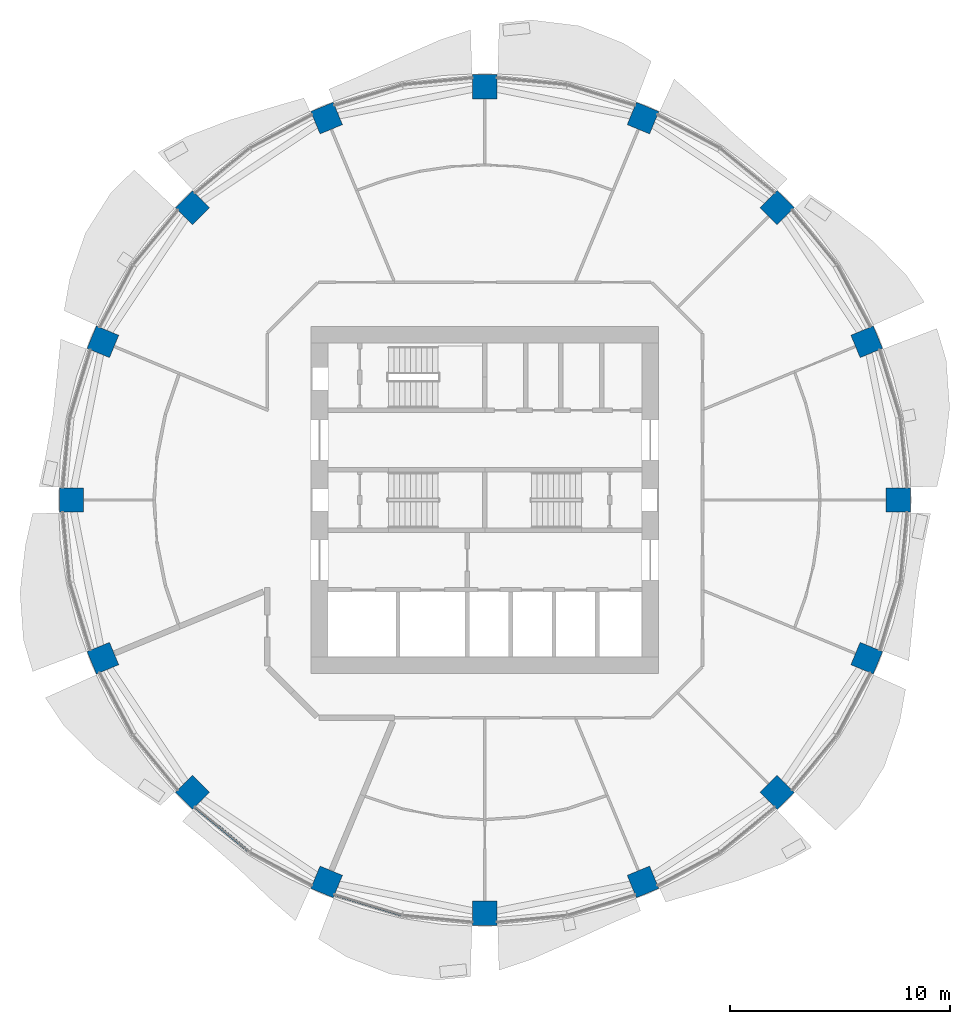
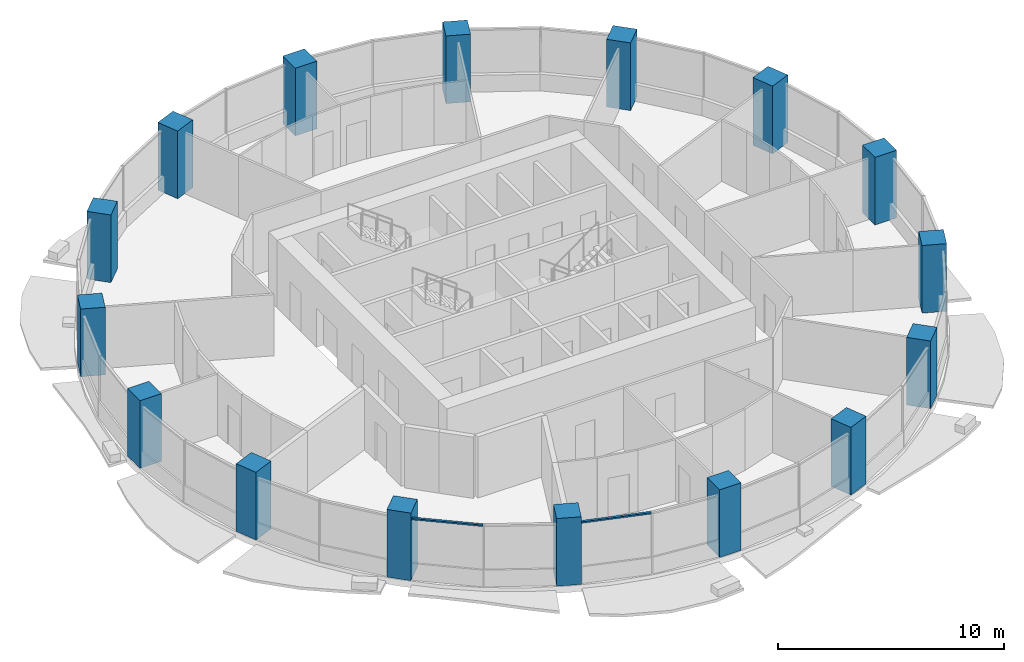
# One storey, part 1 of 14: 16 columns, 2 members, 2 elements without a shape of their own.
"""IFC4 building model written with IfcOpenShell, lengths in metres."""

from ifc_helpers import new_model, si_unit, direction, frame, origin, origin_2d, place, context, subcontext, project, spatial, rectangle, extrude, material, material_profile, profile_set, type_object, element, aggregate, save


model = new_model("IFC4")

# Units and contexts
model_context = context("Model", 3, precision=1e-05, world=origin(), true_north=direction((0.0, 1.0)))
body_context = subcontext(model_context, "Body", "Model", "MODEL_VIEW")
ifc_project = project(units=[si_unit("LENGTHUNIT", "METRE"), si_unit("AREAUNIT", "SQUARE_METRE"), si_unit("VOLUMEUNIT", "CUBIC_METRE"), si_unit("PLANEANGLEUNIT", "RADIAN"), si_unit("MASSUNIT", "GRAM", prefix="KILO")], contexts=[model_context])

# Site, building, storey
site_placement = place(None, origin())
site = spatial("IfcSite", under=ifc_project, at=site_placement, CompositionType="ELEMENT")
building_placement = place(site_placement, origin())
building = spatial("IfcBuilding", under=site, at=building_placement, Name="Polderwave Tower", CompositionType="ELEMENT")
storey_placement = place(building_placement, frame((0.0, 0.0, 91.0)))
storey = spatial("IfcBuildingStorey", under=building, at=storey_placement, Name="L23", CompositionType="ELEMENT", Elevation=91.0)

# Columns
ifc_material_1 = material(Name="Concrete C70/85", Category="concrete")
ifc_material_profile_1 = material_profile(ifc_material_1, rectangle(XDim=1.10009765625, YDim=1.10009765625, at=origin_2d()), Name="RC 1100x1100")
ifc_profile_set_1 = profile_set([ifc_material_profile_1], Name="Concrete C70/85")
column_type = type_object("IfcColumnType", Name="RC COLUMN 1100x1100 C70/85", PredefinedType="COLUMN", material=ifc_profile_set_1)
for number, where, z_axis, x_axis, name in (
    (1, (18.75, 0.0, 0.0), (0.0, 0.0, 1.0), (1.0, 0.0, 0.0), "Ring column 01"),
    (2, (17.32275390625, 7.17529296875, 0.0), (0.0, 0.0, 1.0), (0.923879532511, 0.382683432365, 0.0), "Ring column 02"),
    (3, (13.25830078125, 13.25830078125, 0.0), (0.0, 0.0, 1.0), (0.707106781187, 0.707106781187, 0.0), "Ring column 03"),
    (4, (7.17529296875, 17.32275390625, 0.0), (0.0, 0.0, 1.0), (0.382683432365, 0.923879532511, 0.0), "Ring column 04"),
    (5, (0.0, 18.75, 0.0), (0.0, 0.0, 1.0), (0.0, 1.0, 0.0), "Ring column 05"),
    (6, (-7.17529296875, 17.32275390625, 0.0), (0.0, 0.0, 1.0), (-0.382683432365, 0.923879532511, 0.0), "Ring column 06"),
    (7, (-13.25830078125, 13.25830078125, 0.0), (0.0, 0.0, 1.0), (-0.707106781187, 0.707106781187, 0.0), "Ring column 07"),
    (8, (-17.32275390625, 7.17529296875, 0.0), (0.0, 0.0, 1.0), (-0.923879532511, 0.382683432365, 0.0), "Ring column 08"),
    (9, (-18.75, 0.0, 0.0), (0.0, 0.0, 1.0), (-1.0, 0.0, 0.0), "Ring column 09"),
    (10, (-17.32275390625, -7.17529296875, 0.0), (0.0, 0.0, 1.0), (-0.923879532511, -0.382683432365, 0.0), "Ring column 10"),
    (11, (-13.25830078125, -13.25830078125, 0.0), (0.0, 0.0, 1.0), (-0.707106781187, -0.707106781187, 0.0), "Ring column 11"),
    (12, (-7.17529296875, -17.32275390625, 0.0), (0.0, 0.0, 1.0), (-0.382683432365, -0.923879532511, 0.0), "Ring column 12"),
    (13, (0.0, -18.75, 0.0), (0.0, 0.0, 1.0), (0.0, -1.0, 0.0), "Ring column 13"),
    (14, (7.17529296875, -17.32275390625, 0.0), (0.0, 0.0, 1.0), (0.382683432365, -0.923879532511, 0.0), "Ring column 14"),
    (15, (13.25830078125, -13.25830078125, 0.0), (0.0, 0.0, 1.0), (0.707106781187, -0.707106781187, 0.0), "Ring column 15"),
    (16, (17.32275390625, -7.17529296875, 0.0), (0.0, 0.0, 1.0), (0.923879532511, -0.382683432365, 0.0), "Ring column 16"),
):
    element("IfcColumn", number, at=place(storey_placement, frame(where, z_axis=z_axis, x_axis=x_axis)), inside=storey, type_object=column_type, Name=name, PredefinedType="COLUMN", context=body_context, shape_type="SweptSolid", body=[
        extrude(rectangle(XDim=1.10009765625, YDim=1.10009765625, at=origin_2d()), origin(), (0.0, 0.0, 1.0), 3.64990234375),
    ])

# Curtain wall, member
ifc_material_2 = material(Name="Aluminium 6063-T6 and glass", Category="aluminium")
curtain_wall_type = type_object("IfcCurtainWallType", Name="Growing floor ribbon glazing wall", PredefinedType="NOTDEFINED", material=ifc_material_2)
curtain_wall_1_placement = place(storey_placement, origin())
curtain_wall_1 = element("IfcCurtainWall", 17, at=curtain_wall_1_placement, inside=storey, type_object=curtain_wall_type, Name="CW2 L23 10", PredefinedType="NOTDEFINED")
ifc_material_3 = material(Name="Aluminium 6063-T6", Category="aluminium")
ifc_material_profile_2 = material_profile(ifc_material_3, rectangle(XDim=0.1201171875, YDim=0.080078125, at=origin_2d()), Name="AL 80x120")
ifc_profile_set_2 = profile_set([ifc_material_profile_2], Name="Aluminium 6063-T6")
member_type = type_object("IfcMemberType", Name="Growing floor ribbon glazing transom 80x120", PredefinedType="USERDEFINED", material=ifc_profile_set_2)
member_1_placement = place(storey_placement, frame((-13.14892578125, -13.927001953125, 3.260009765625), z_axis=(0.772974924898, -0.634436573251, 0.0), x_axis=(0.634436573251, 0.772974924898, 0.0)))
member_1 = element("IfcMember", 18, at=member_1_placement, type_object=member_type, Name="CW2 transom 1", ObjectType="TRANSOM", PredefinedType="USERDEFINED", context=body_context, shape_type="SweptSolid", body=[
    extrude(rectangle(XDim=0.1201171875, YDim=0.080078125, at=origin_2d()), origin(), (0.0, 0.0, 1.0), 3.180908203125),
])
aggregate(curtain_wall_1, [member_1])

curtain_wall_2_placement = place(storey_placement, origin())
curtain_wall_2 = element("IfcCurtainWall", 19, at=curtain_wall_2_placement, inside=storey, type_object=curtain_wall_type, Name="CW2 L23 11", PredefinedType="NOTDEFINED")
member_2_placement = place(storey_placement, frame((-6.819091796875, -17.89892578125, 3.260009765625), z_axis=(0.95695596309, -0.290233155766, 0.0), x_axis=(0.290233155766, 0.95695596309, 0.0)))
member_2 = element("IfcMember", 20, at=member_2_placement, type_object=member_type, Name="CW2 transom 1", ObjectType="TRANSOM", PredefinedType="USERDEFINED", context=body_context, shape_type="SweptSolid", body=[
    extrude(rectangle(XDim=0.1201171875, YDim=0.080078125, at=origin_2d()), origin(), (0.0, 0.0, 1.0), 3.181396484375),
])
aggregate(curtain_wall_2, [member_2])

save(model, "model.ifc")
